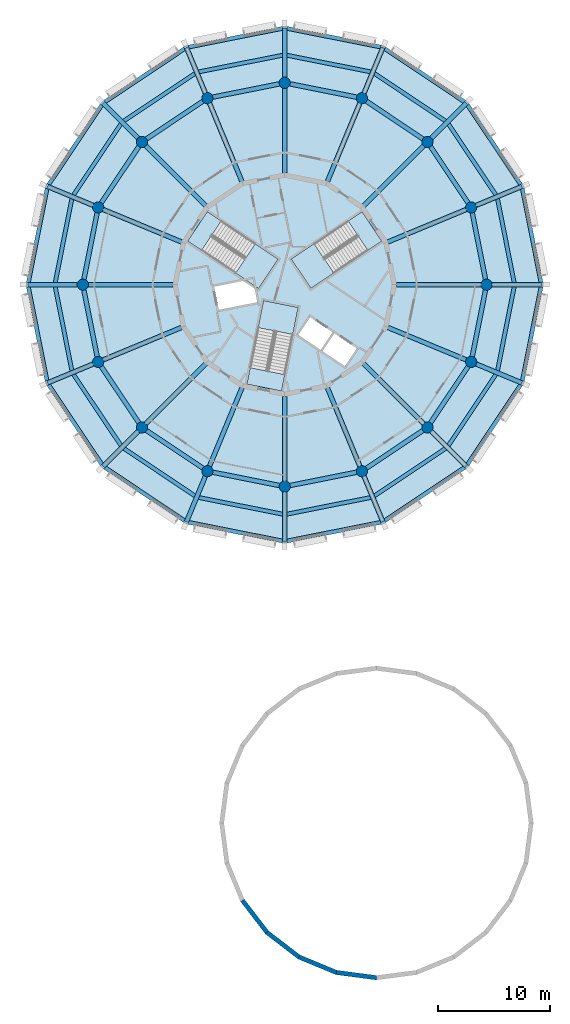
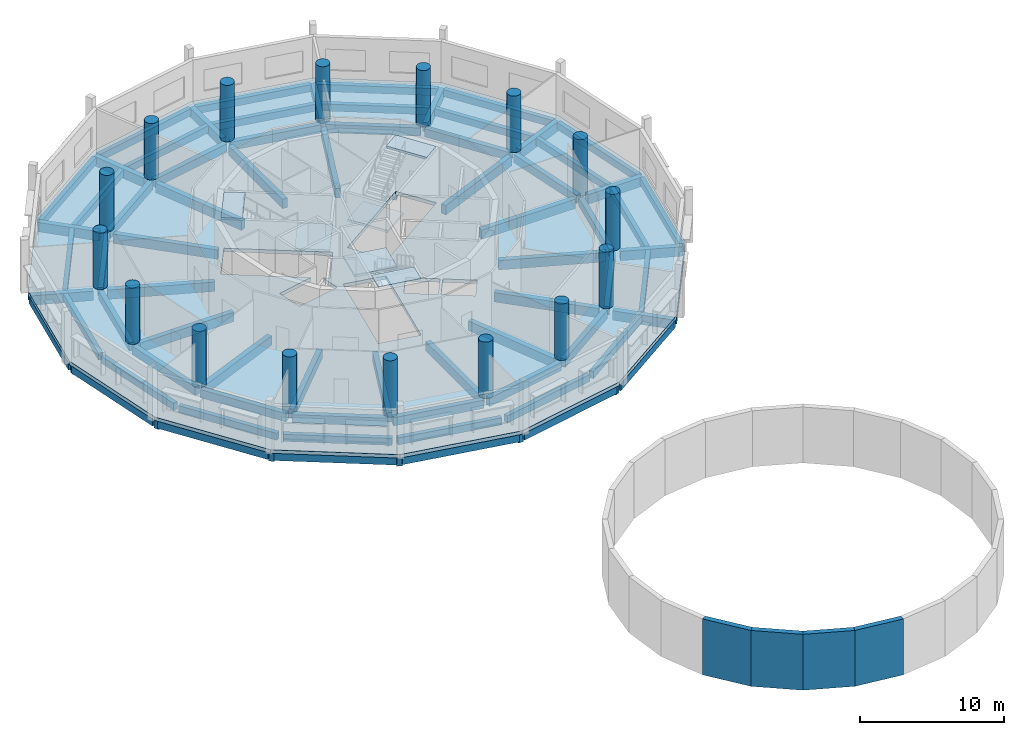
# One storey, part 1 of 8: 80 beams, 16 columns, 7 slabs, 4 walls, 3 elements without a shape of their own.
"""IFC4 building model written with IfcOpenShell, lengths in metres."""

from ifc_helpers import new_model, si_unit, direction, frame, origin, origin_2d, place, context, subcontext, project, spatial, polyline, rectangle, circle, outline, extrude, material, layer, layer_set, material_profile, profile_set, type_object, element, aggregate, save


model = new_model("IFC4")

# Units and contexts
model_context = context("Model", 3, precision=1e-05, world=origin(), true_north=direction((0.0, 1.0)))
body_context = subcontext(model_context, "Body", "Model", "MODEL_VIEW")
ifc_project = project(units=[si_unit("LENGTHUNIT", "METRE"), si_unit("AREAUNIT", "SQUARE_METRE"), si_unit("VOLUMEUNIT", "CUBIC_METRE"), si_unit("PLANEANGLEUNIT", "RADIAN"), si_unit("MASSUNIT", "GRAM", prefix="KILO")], contexts=[model_context])

# Site, building, storey
site_placement = place(None, origin())
site = spatial("IfcSite", under=ifc_project, at=site_placement, CompositionType="ELEMENT")
building_placement = place(site_placement, origin())
building = spatial("IfcBuilding", under=site, at=building_placement, Name="Ceibo Conservatory and Research Tower", CompositionType="ELEMENT")
storey_placement = place(building_placement, frame((0.0, 0.0, 10.800048828125)))
storey = spatial("IfcBuildingStorey", under=building, at=storey_placement, Name="L02", CompositionType="ELEMENT", Elevation=10.800048828125)

# Columns
ifc_material_1 = material(Name="Concrete C40/50", Category="concrete")
ifc_material_profile_1 = material_profile(ifc_material_1, circle(Radius=0.5, at=origin_2d()), Name="RC D1000")
ifc_profile_set_1 = profile_set([ifc_material_profile_1], Name="Concrete C40/50")
column_type = type_object("IfcColumnType", Name="RC column D1000 C40", PredefinedType="COLUMN", material=ifc_profile_set_1)
for number, where, z_axis, x_axis, name in (
    (1, (66.0, 120.0, 0.0), (0.0, 0.0, 1.0), (1.0, 0.0, 0.0), "Column R1 L02"),
    (2, (64.6298828125, 126.88818359375, 0.0), (0.0, 0.0, 1.0), (1.0, 0.0, 0.0), "Column R2 L02"),
    (3, (60.72802734375, 132.72802734375, 0.0), (0.0, 0.0, 1.0), (1.0, 0.0, 0.0), "Column R3 L02"),
    (4, (54.88818359375, 136.6298828125, 0.0), (0.0, 0.0, 1.0), (1.0, 0.0, 0.0), "Column R4 L02"),
    (5, (48.0, 138.0, 0.0), (0.0, 0.0, 1.0), (1.0, 0.0, 0.0), "Column R5 L02"),
    (6, (41.11181640625, 136.6298828125, 0.0), (0.0, 0.0, 1.0), (1.0, 0.0, 0.0), "Column R6 L02"),
    (7, (35.27197265625, 132.72802734375, 0.0), (0.0, 0.0, 1.0), (1.0, 0.0, 0.0), "Column R7 L02"),
    (8, (31.3701171875, 126.88818359375, 0.0), (0.0, 0.0, 1.0), (1.0, 0.0, 0.0), "Column R8 L02"),
    (9, (30.0, 120.0, 0.0), (0.0, 0.0, 1.0), (1.0, 0.0, 0.0), "Column R9 L02"),
    (10, (31.3701171875, 113.11181640625, 0.0), (0.0, 0.0, 1.0), (1.0, 0.0, 0.0), "Column R10 L02"),
    (11, (35.27197265625, 107.27197265625, 0.0), (0.0, 0.0, 1.0), (1.0, 0.0, 0.0), "Column R11 L02"),
    (12, (41.11181640625, 103.3701171875, 0.0), (0.0, 0.0, 1.0), (1.0, 0.0, 0.0), "Column R12 L02"),
    (13, (48.0, 102.0, 0.0), (0.0, 0.0, 1.0), (1.0, 0.0, 0.0), "Column R13 L02"),
    (14, (54.88818359375, 103.3701171875, 0.0), (0.0, 0.0, 1.0), (1.0, 0.0, 0.0), "Column R14 L02"),
    (15, (60.72802734375, 107.27197265625, 0.0), (0.0, 0.0, 1.0), (1.0, 0.0, 0.0), "Column R15 L02"),
    (16, (64.6298828125, 113.11181640625, 0.0), (0.0, 0.0, 1.0), (1.0, 0.0, 0.0), "Column R16 L02"),
):
    element("IfcColumn", number, at=place(storey_placement, frame(where, z_axis=z_axis, x_axis=x_axis)), inside=storey, type_object=column_type, Name=name, PredefinedType="COLUMN", context=body_context, shape_type="SweptSolid", body=[
        extrude(circle(Radius=0.5, at=origin_2d()), origin(), (0.0, 0.0, 1.0), 4.800048828125),
    ])

# Beams
ifc_material_2 = material(Name="Concrete C35/45", Category="concrete")
ifc_material_profile_2 = material_profile(ifc_material_2, rectangle(XDim=0.35009765625, YDim=0.60009765625, at=origin_2d()), Name="RC 350x600")
ifc_profile_set_2 = profile_set([ifc_material_profile_2], Name="Concrete C35/45")
beam_type_1 = type_object("IfcBeamType", Name="RC beam 350x600 C35", PredefinedType="BEAM", material=ifc_profile_set_2)
for number, where, z_axis, x_axis, name in (
    (17, (68.464111328125, 120.180419921875, -0.60009765625), (-0.195100828433, 0.980783190489, 0.0), (-0.980783190489, -0.195100828433, 0.0), "Edge beam 01 L02"),
    (18, (66.83740234375, 127.998046875, -0.60009765625), (-0.555578495676, 0.831464091312, 0.0), (-0.831464091312, -0.555578495676, 0.0), "Edge beam 02 L02"),
    (19, (62.3427734375, 134.597900390625, -0.60009765625), (-0.831464091312, 0.555578495676, 0.0), (-0.555578495676, -0.831464091312, 0.0), "Edge beam 03 L02"),
    (20, (55.66455078125, 138.975341796875, -0.60009765625), (-0.980783190489, 0.195100828433, 0.0), (-0.195100828433, -0.980783190489, 0.0), "Edge beam 04 L02"),
    (21, (47.819580078125, 140.464111328125, -0.60009765625), (-0.980783190489, -0.195100828433, 0.0), (0.195100828433, -0.980783190489, 0.0), "Edge beam 05 L02"),
    (22, (40.001953125, 138.83740234375, -0.60009765625), (-0.831464091312, -0.555578495676, 0.0), (0.555578495676, -0.831464091312, 0.0), "Edge beam 06 L02"),
    (23, (33.402099609375, 134.3427734375, -0.60009765625), (-0.555578495676, -0.831464091312, 0.0), (0.831464091312, -0.555578495676, 0.0), "Edge beam 07 L02"),
    (24, (29.024658203125, 127.66455078125, -0.60009765625), (-0.195100828433, -0.980783190489, 0.0), (0.980783190489, -0.195100828433, 0.0), "Edge beam 08 L02"),
    (25, (27.535888671875, 119.819580078125, -0.60009765625), (0.195100828433, -0.980783190489, 0.0), (0.980783190489, 0.195100828433, 0.0), "Edge beam 09 L02"),
    (26, (29.16259765625, 112.001953125, -0.60009765625), (0.555578495676, -0.831464091312, 0.0), (0.831464091312, 0.555578495676, 0.0), "Edge beam 10 L02"),
    (27, (33.6572265625, 105.402099609375, -0.60009765625), (0.831464091312, -0.555578495676, 0.0), (0.555578495676, 0.831464091312, 0.0), "Edge beam 11 L02"),
    (28, (40.33544921875, 101.024658203125, -0.60009765625), (0.980783190489, -0.195100828433, 0.0), (0.195100828433, 0.980783190489, 0.0), "Edge beam 12 L02"),
    (29, (48.180419921875, 99.535888671875, -0.60009765625), (0.980783190489, 0.195100828433, 0.0), (-0.195100828433, 0.980783190489, 0.0), "Edge beam 13 L02"),
    (30, (55.998046875, 101.16259765625, -0.60009765625), (0.831464091312, 0.555578495676, 0.0), (-0.555578495676, 0.831464091312, 0.0), "Edge beam 14 L02"),
    (31, (62.597900390625, 105.6572265625, -0.60009765625), (0.555578495676, 0.831464091312, 0.0), (-0.831464091312, 0.555578495676, 0.0), "Edge beam 15 L02"),
    (32, (66.975341796875, 112.33544921875, -0.60009765625), (0.195100828433, 0.980783190489, 0.0), (-0.980783190489, 0.195100828433, 0.0), "Edge beam 16 L02"),
):
    element("IfcBeam", number, at=place(storey_placement, frame(where, z_axis=z_axis, x_axis=x_axis)), inside=storey, type_object=beam_type_1, Name=name, PredefinedType="BEAM", context=body_context, shape_type="SweptSolid", body=[
        extrude(rectangle(XDim=0.35009765625, YDim=0.60009765625, at=origin_2d()), origin(), (0.0, 0.0, 1.0), 7.630859375),
    ])
beam_1_placement = place(storey_placement, frame((70.864013671875, 120.180419921875, -0.60009765625), z_axis=(-0.195091228051, 0.980785100181, 0.0), x_axis=(-0.980785100181, -0.195091228051, 0.0)))
element("IfcBeam", 33, at=beam_1_placement, inside=storey, type_object=beam_type_1, Name="Edge beam 01 L02", PredefinedType="BEAM", context=body_context, shape_type="SweptSolid", body=[
    extrude(rectangle(XDim=0.35009765625, YDim=0.60009765625, at=origin_2d()), origin(), (0.0, 0.0, 1.0), 8.567138671875),
])
for number, where, z_axis, x_axis, name in (
    (34, (69.0546875, 128.916259765625, -0.60009765625), (-0.555567941866, 0.831471143198, 0.0), (-0.831471143198, -0.555567941866, 0.0), "Edge beam 02 L02"),
    (35, (64.039794921875, 136.294921875, -0.60009765625), (-0.831471143198, 0.555567941866, 0.0), (-0.555567941866, -0.831471143198, 0.0), "Edge beam 03 L02"),
):
    element("IfcBeam", number, at=place(storey_placement, frame(where, z_axis=z_axis, x_axis=x_axis)), inside=storey, type_object=beam_type_1, Name=name, PredefinedType="BEAM", context=body_context, shape_type="SweptSolid", body=[
        extrude(rectangle(XDim=0.35009765625, YDim=0.60009765625, at=origin_2d()), origin(), (0.0, 0.0, 1.0), 8.5673828125),
    ])
for number, where, z_axis, x_axis, name in (
    (36, (56.5830078125, 141.192626953125, -0.60009765625), (-0.980785100181, 0.195091228051, 0.0), (-0.195091228051, -0.980785100181, 0.0), "Edge beam 04 L02"),
    (37, (47.819580078125, 142.864013671875, -0.60009765625), (-0.980785100181, -0.195091228051, 0.0), (0.195091228051, -0.980785100181, 0.0), "Edge beam 05 L02"),
):
    element("IfcBeam", number, at=place(storey_placement, frame(where, z_axis=z_axis, x_axis=x_axis)), inside=storey, type_object=beam_type_1, Name=name, PredefinedType="BEAM", context=body_context, shape_type="SweptSolid", body=[
        extrude(rectangle(XDim=0.35009765625, YDim=0.60009765625, at=origin_2d()), origin(), (0.0, 0.0, 1.0), 8.567138671875),
    ])
for number, where, z_axis, x_axis, name in (
    (38, (39.083740234375, 141.0546875, -0.60009765625), (-0.831471143198, -0.555567941866, 0.0), (0.555567941866, -0.831471143198, 0.0), "Edge beam 06 L02"),
    (39, (31.705078125, 136.039794921875, -0.60009765625), (-0.555567941866, -0.831471143198, 0.0), (0.831471143198, -0.555567941866, 0.0), "Edge beam 07 L02"),
):
    element("IfcBeam", number, at=place(storey_placement, frame(where, z_axis=z_axis, x_axis=x_axis)), inside=storey, type_object=beam_type_1, Name=name, PredefinedType="BEAM", context=body_context, shape_type="SweptSolid", body=[
        extrude(rectangle(XDim=0.35009765625, YDim=0.60009765625, at=origin_2d()), origin(), (0.0, 0.0, 1.0), 8.5673828125),
    ])
for number, where, z_axis, x_axis, name in (
    (40, (26.807373046875, 128.5830078125, -0.60009765625), (-0.195091228051, -0.980785100181, 0.0), (0.980785100181, -0.195091228051, 0.0), "Edge beam 08 L02"),
    (41, (25.135986328125, 119.819580078125, -0.60009765625), (0.195091228051, -0.980785100181, 0.0), (0.980785100181, 0.195091228051, 0.0), "Edge beam 09 L02"),
):
    element("IfcBeam", number, at=place(storey_placement, frame(where, z_axis=z_axis, x_axis=x_axis)), inside=storey, type_object=beam_type_1, Name=name, PredefinedType="BEAM", context=body_context, shape_type="SweptSolid", body=[
        extrude(rectangle(XDim=0.35009765625, YDim=0.60009765625, at=origin_2d()), origin(), (0.0, 0.0, 1.0), 8.567138671875),
    ])
for number, where, z_axis, x_axis, name in (
    (42, (26.9453125, 111.083740234375, -0.60009765625), (0.555567941866, -0.831471143198, 0.0), (0.831471143198, 0.555567941866, 0.0), "Edge beam 10 L02"),
    (43, (31.960205078125, 103.705078125, -0.60009765625), (0.831471143198, -0.555567941866, 0.0), (0.555567941866, 0.831471143198, 0.0), "Edge beam 11 L02"),
):
    element("IfcBeam", number, at=place(storey_placement, frame(where, z_axis=z_axis, x_axis=x_axis)), inside=storey, type_object=beam_type_1, Name=name, PredefinedType="BEAM", context=body_context, shape_type="SweptSolid", body=[
        extrude(rectangle(XDim=0.35009765625, YDim=0.60009765625, at=origin_2d()), origin(), (0.0, 0.0, 1.0), 8.5673828125),
    ])
for number, where, z_axis, x_axis, name in (
    (44, (39.4169921875, 98.807373046875, -0.60009765625), (0.980785100181, -0.195091228051, 0.0), (0.195091228051, 0.980785100181, 0.0), "Edge beam 12 L02"),
    (45, (48.180419921875, 97.135986328125, -0.60009765625), (0.980785100181, 0.195091228051, 0.0), (-0.195091228051, 0.980785100181, 0.0), "Edge beam 13 L02"),
):
    element("IfcBeam", number, at=place(storey_placement, frame(where, z_axis=z_axis, x_axis=x_axis)), inside=storey, type_object=beam_type_1, Name=name, PredefinedType="BEAM", context=body_context, shape_type="SweptSolid", body=[
        extrude(rectangle(XDim=0.35009765625, YDim=0.60009765625, at=origin_2d()), origin(), (0.0, 0.0, 1.0), 8.567138671875),
    ])
for number, where, z_axis, x_axis, name in (
    (46, (56.916259765625, 98.9453125, -0.60009765625), (0.831471143198, 0.555567941866, 0.0), (-0.555567941866, 0.831471143198, 0.0), "Edge beam 14 L02"),
    (47, (64.294921875, 103.960205078125, -0.60009765625), (0.555567941866, 0.831471143198, 0.0), (-0.831471143198, 0.555567941866, 0.0), "Edge beam 15 L02"),
):
    element("IfcBeam", number, at=place(storey_placement, frame(where, z_axis=z_axis, x_axis=x_axis)), inside=storey, type_object=beam_type_1, Name=name, PredefinedType="BEAM", context=body_context, shape_type="SweptSolid", body=[
        extrude(rectangle(XDim=0.35009765625, YDim=0.60009765625, at=origin_2d()), origin(), (0.0, 0.0, 1.0), 8.5673828125),
    ])
beam_2_placement = place(storey_placement, frame((69.192626953125, 111.4169921875, -0.60009765625), z_axis=(0.195091228051, 0.980785100181, 0.0), x_axis=(-0.980785100181, 0.195091228051, 0.0)))
element("IfcBeam", 48, at=beam_2_placement, inside=storey, type_object=beam_type_1, Name="Edge beam 16 L02", PredefinedType="BEAM", context=body_context, shape_type="SweptSolid", body=[
    extrude(rectangle(XDim=0.35009765625, YDim=0.60009765625, at=origin_2d()), origin(), (0.0, 0.0, 1.0), 8.567138671875),
])
ifc_material_profile_3 = material_profile(ifc_material_2, rectangle(XDim=0.39990234375, YDim=0.699951171875, at=origin_2d()), Name="RC 400x700")
ifc_profile_set_3 = profile_set([ifc_material_profile_3], Name="Concrete C35/45")
beam_type_2 = type_object("IfcBeamType", Name="RC beam 400x700 C35", PredefinedType="BEAM", material=ifc_profile_set_3)
beam_3_placement = place(storey_placement, frame((65.964111328125, 120.180419921875, -0.650146484375), z_axis=(-0.19507903146, 0.980787526167, 0.0), x_axis=(-0.980787526167, -0.19507903146, 0.0)))
element("IfcBeam", 49, at=beam_3_placement, inside=storey, type_object=beam_type_2, Name="Ring beam 01 L02", PredefinedType="BEAM", context=body_context, shape_type="SweptSolid", body=[
    extrude(rectangle(XDim=0.39990234375, YDim=0.699951171875, at=origin_2d()), origin(), (0.0, 0.0, 1.0), 6.655517578125),
])
for number, where, z_axis, x_axis, name in (
    (50, (64.527587890625, 127.041259765625, -0.650146484375), (-0.555571830572, 0.83146854485, 0.0), (-0.83146854485, -0.555571830572, 0.0), "Ring beam 02 L02"),
    (51, (60.574951171875, 132.830078125, -0.650146484375), (-0.83146854485, 0.555571830572, 0.0), (-0.555571830572, -0.83146854485, 0.0), "Ring beam 03 L02"),
):
    element("IfcBeam", number, at=place(storey_placement, frame(where, z_axis=z_axis, x_axis=x_axis)), inside=storey, type_object=beam_type_2, Name=name, PredefinedType="BEAM", context=body_context, shape_type="SweptSolid", body=[
        extrude(rectangle(XDim=0.39990234375, YDim=0.699951171875, at=origin_2d()), origin(), (0.0, 0.0, 1.0), 6.6552734375),
    ])
for number, where, z_axis, x_axis, name in (
    (52, (54.7080078125, 136.665771484375, -0.650146484375), (-0.980787526167, 0.19507903146, 0.0), (-0.19507903146, -0.980787526167, 0.0), "Ring beam 04 L02"),
    (53, (47.819580078125, 137.964111328125, -0.650146484375), (-0.980787526167, -0.19507903146, 0.0), (0.19507903146, -0.980787526167, 0.0), "Ring beam 05 L02"),
):
    element("IfcBeam", number, at=place(storey_placement, frame(where, z_axis=z_axis, x_axis=x_axis)), inside=storey, type_object=beam_type_2, Name=name, PredefinedType="BEAM", context=body_context, shape_type="SweptSolid", body=[
        extrude(rectangle(XDim=0.39990234375, YDim=0.699951171875, at=origin_2d()), origin(), (0.0, 0.0, 1.0), 6.655517578125),
    ])
for number, where, z_axis, x_axis, name in (
    (54, (40.958740234375, 136.527587890625, -0.650146484375), (-0.83146854485, -0.555571830572, 0.0), (0.555571830572, -0.83146854485, 0.0), "Ring beam 06 L02"),
    (55, (35.169921875, 132.574951171875, -0.650146484375), (-0.555571830572, -0.83146854485, 0.0), (0.83146854485, -0.555571830572, 0.0), "Ring beam 07 L02"),
):
    element("IfcBeam", number, at=place(storey_placement, frame(where, z_axis=z_axis, x_axis=x_axis)), inside=storey, type_object=beam_type_2, Name=name, PredefinedType="BEAM", context=body_context, shape_type="SweptSolid", body=[
        extrude(rectangle(XDim=0.39990234375, YDim=0.699951171875, at=origin_2d()), origin(), (0.0, 0.0, 1.0), 6.6552734375),
    ])
for number, where, z_axis, x_axis, name in (
    (56, (31.334228515625, 126.7080078125, -0.650146484375), (-0.19507903146, -0.980787526167, 0.0), (0.980787526167, -0.19507903146, 0.0), "Ring beam 08 L02"),
    (57, (30.035888671875, 119.819580078125, -0.650146484375), (0.19507903146, -0.980787526167, 0.0), (0.980787526167, 0.19507903146, 0.0), "Ring beam 09 L02"),
):
    element("IfcBeam", number, at=place(storey_placement, frame(where, z_axis=z_axis, x_axis=x_axis)), inside=storey, type_object=beam_type_2, Name=name, PredefinedType="BEAM", context=body_context, shape_type="SweptSolid", body=[
        extrude(rectangle(XDim=0.39990234375, YDim=0.699951171875, at=origin_2d()), origin(), (0.0, 0.0, 1.0), 6.655517578125),
    ])
for number, where, z_axis, x_axis, name in (
    (58, (31.472412109375, 112.958740234375, -0.650146484375), (0.555571830572, -0.83146854485, 0.0), (0.83146854485, 0.555571830572, 0.0), "Ring beam 10 L02"),
    (59, (35.425048828125, 107.169921875, -0.650146484375), (0.83146854485, -0.555571830572, 0.0), (0.555571830572, 0.83146854485, 0.0), "Ring beam 11 L02"),
):
    element("IfcBeam", number, at=place(storey_placement, frame(where, z_axis=z_axis, x_axis=x_axis)), inside=storey, type_object=beam_type_2, Name=name, PredefinedType="BEAM", context=body_context, shape_type="SweptSolid", body=[
        extrude(rectangle(XDim=0.39990234375, YDim=0.699951171875, at=origin_2d()), origin(), (0.0, 0.0, 1.0), 6.6552734375),
    ])
for number, where, z_axis, x_axis, name in (
    (60, (41.2919921875, 103.334228515625, -0.650146484375), (0.980787526167, -0.19507903146, 0.0), (0.19507903146, 0.980787526167, 0.0), "Ring beam 12 L02"),
    (61, (48.180419921875, 102.035888671875, -0.650146484375), (0.980787526167, 0.19507903146, 0.0), (-0.19507903146, 0.980787526167, 0.0), "Ring beam 13 L02"),
):
    element("IfcBeam", number, at=place(storey_placement, frame(where, z_axis=z_axis, x_axis=x_axis)), inside=storey, type_object=beam_type_2, Name=name, PredefinedType="BEAM", context=body_context, shape_type="SweptSolid", body=[
        extrude(rectangle(XDim=0.39990234375, YDim=0.699951171875, at=origin_2d()), origin(), (0.0, 0.0, 1.0), 6.655517578125),
    ])
for number, where, z_axis, x_axis, name in (
    (62, (55.041259765625, 103.472412109375, -0.650146484375), (0.83146854485, 0.555571830572, 0.0), (-0.555571830572, 0.83146854485, 0.0), "Ring beam 14 L02"),
    (63, (60.830078125, 107.425048828125, -0.650146484375), (0.555571830572, 0.83146854485, 0.0), (-0.83146854485, 0.555571830572, 0.0), "Ring beam 15 L02"),
):
    element("IfcBeam", number, at=place(storey_placement, frame(where, z_axis=z_axis, x_axis=x_axis)), inside=storey, type_object=beam_type_2, Name=name, PredefinedType="BEAM", context=body_context, shape_type="SweptSolid", body=[
        extrude(rectangle(XDim=0.39990234375, YDim=0.699951171875, at=origin_2d()), origin(), (0.0, 0.0, 1.0), 6.6552734375),
    ])
beam_4_placement = place(storey_placement, frame((64.665771484375, 113.2919921875, -0.650146484375), z_axis=(0.19507903146, 0.980787526167, 0.0), x_axis=(-0.980787526167, 0.19507903146, 0.0)))
element("IfcBeam", 64, at=beam_4_placement, inside=storey, type_object=beam_type_2, Name="Ring beam 16 L02", PredefinedType="BEAM", context=body_context, shape_type="SweptSolid", body=[
    extrude(rectangle(XDim=0.39990234375, YDim=0.699951171875, at=origin_2d()), origin(), (0.0, 0.0, 1.0), 6.655517578125),
])
ifc_material_profile_4 = material_profile(ifc_material_2, rectangle(XDim=0.39990234375, YDim=0.800048828125, at=origin_2d()), Name="RC 400x800")
ifc_profile_set_4 = profile_set([ifc_material_profile_4], Name="Concrete C35/45")
beam_type_3 = type_object("IfcBeamType", Name="RC beam 400x800 C35", PredefinedType="BEAM", material=ifc_profile_set_4)
for number, where, z_axis, x_axis, name in (
    (65, (57.949951171875, 120.0, -0.699951171875), (1.0, 0.0, 0.0), (0.0, 1.0, 0.0), "Radial beam R1 L02"),
    (66, (57.192626953125, 123.8076171875, -0.699951171875), (0.923873766876, 0.382697351544, 0.0), (-0.382697351544, 0.923873766876, 0.0), "Radial beam R2 L02"),
    (67, (55.03564453125, 127.03564453125, -0.699951171875), (0.707106781187, 0.707106781187, 0.0), (-0.707106781187, 0.707106781187, 0.0), "Radial beam R3 L02"),
    (68, (51.8076171875, 129.192626953125, -0.699951171875), (0.382697351544, 0.923873766876, 0.0), (-0.923873766876, 0.382697351544, 0.0), "Radial beam R4 L02"),
    (69, (48.0, 129.949951171875, -0.699951171875), (0.0, 1.0, 0.0), (-1.0, 0.0, 0.0), "Radial beam R5 L02"),
    (70, (44.1923828125, 129.192626953125, -0.699951171875), (-0.382697351544, 0.923873766876, 0.0), (-0.923873766876, -0.382697351544, 0.0), "Radial beam R6 L02"),
    (71, (40.96435546875, 127.03564453125, -0.699951171875), (-0.707106781187, 0.707106781187, 0.0), (-0.707106781187, -0.707106781187, 0.0), "Radial beam R7 L02"),
    (72, (38.807373046875, 123.8076171875, -0.699951171875), (-0.923873766876, 0.382697351544, 0.0), (-0.382697351544, -0.923873766876, 0.0), "Radial beam R8 L02"),
    (73, (38.050048828125, 120.0, -0.699951171875), (-1.0, 0.0, 0.0), (0.0, -1.0, 0.0), "Radial beam R9 L02"),
    (74, (38.807373046875, 116.1923828125, -0.699951171875), (-0.923873766876, -0.382697351544, 0.0), (0.382697351544, -0.923873766876, 0.0), "Radial beam R10 L02"),
    (75, (40.96435546875, 112.96435546875, -0.699951171875), (-0.707106781187, -0.707106781187, 0.0), (0.707106781187, -0.707106781187, 0.0), "Radial beam R11 L02"),
    (76, (44.1923828125, 110.807373046875, -0.699951171875), (-0.382697351544, -0.923873766876, 0.0), (0.923873766876, -0.382697351544, 0.0), "Radial beam R12 L02"),
    (77, (48.0, 110.050048828125, -0.699951171875), (0.0, -1.0, 0.0), (1.0, 0.0, 0.0), "Radial beam R13 L02"),
    (78, (51.8076171875, 110.807373046875, -0.699951171875), (0.382697351544, -0.923873766876, 0.0), (0.923873766876, 0.382697351544, 0.0), "Radial beam R14 L02"),
    (79, (55.03564453125, 112.96435546875, -0.699951171875), (0.707106781187, -0.707106781187, 0.0), (0.707106781187, 0.707106781187, 0.0), "Radial beam R15 L02"),
    (80, (57.192626953125, 116.1923828125, -0.699951171875), (0.923873766876, -0.382697351544, 0.0), (0.382697351544, 0.923873766876, 0.0), "Radial beam R16 L02"),
):
    element("IfcBeam", number, at=place(storey_placement, frame(where, z_axis=z_axis, x_axis=x_axis)), inside=storey, type_object=beam_type_3, Name=name, PredefinedType="BEAM", context=body_context, shape_type="SweptSolid", body=[
        extrude(rectangle(XDim=0.39990234375, YDim=0.800048828125, at=origin_2d()), origin(), (0.0, 0.0, 1.0), 7.550048828125),
    ])
ifc_material_profile_5 = material_profile(ifc_material_2, rectangle(XDim=0.39990234375, YDim=0.800048828125, at=origin_2d()), Name="RC 400x800")
ifc_profile_set_5 = profile_set([ifc_material_profile_5], Name="Concrete C35/45")
beam_type_4 = type_object("IfcBeamType", Name="RC cantilever beam 400x800 C35", PredefinedType="BEAM", material=ifc_profile_set_5)
for number, where, z_axis, x_axis, name in (
    (81, (66.5, 120.0, -0.699951171875), (1.0, 0.0, 0.0), (0.0, 1.0, 0.0), "Radial cantilever beam R1 L02"),
    (82, (65.091796875, 127.07958984375, -0.699951171875), (0.923883459737, 0.382673951066, 0.0), (-0.382673951066, 0.923883459737, 0.0), "Radial cantilever beam R2 L02"),
    (83, (61.08154296875, 133.08154296875, -0.699951171875), (0.707106781187, 0.707106781187, 0.0), (-0.707106781187, 0.707106781187, 0.0), "Radial cantilever beam R3 L02"),
    (84, (55.07958984375, 137.091796875, -0.699951171875), (0.382673951066, 0.923883459737, 0.0), (-0.923883459737, 0.382673951066, 0.0), "Radial cantilever beam R4 L02"),
    (85, (48.0, 138.5, -0.699951171875), (0.0, 1.0, 0.0), (-1.0, 0.0, 0.0), "Radial cantilever beam R5 L02"),
    (86, (40.92041015625, 137.091796875, -0.699951171875), (-0.382673951066, 0.923883459737, 0.0), (-0.923883459737, -0.382673951066, 0.0), "Radial cantilever beam R6 L02"),
    (87, (34.91845703125, 133.08154296875, -0.699951171875), (-0.707106781187, 0.707106781187, 0.0), (-0.707106781187, -0.707106781187, 0.0), "Radial cantilever beam R7 L02"),
    (88, (30.908203125, 127.07958984375, -0.699951171875), (-0.923883459737, 0.382673951066, 0.0), (-0.382673951066, -0.923883459737, 0.0), "Radial cantilever beam R8 L02"),
    (89, (29.5, 120.0, -0.699951171875), (-1.0, 0.0, 0.0), (0.0, -1.0, 0.0), "Radial cantilever beam R9 L02"),
    (90, (30.908203125, 112.92041015625, -0.699951171875), (-0.923883459737, -0.382673951066, 0.0), (0.382673951066, -0.923883459737, 0.0), "Radial cantilever beam R10 L02"),
    (91, (34.91845703125, 106.91845703125, -0.699951171875), (-0.707106781187, -0.707106781187, 0.0), (0.707106781187, -0.707106781187, 0.0), "Radial cantilever beam R11 L02"),
    (92, (40.92041015625, 102.908203125, -0.699951171875), (-0.382673951066, -0.923883459737, 0.0), (0.923883459737, -0.382673951066, 0.0), "Radial cantilever beam R12 L02"),
    (93, (48.0, 101.5, -0.699951171875), (0.0, -1.0, 0.0), (1.0, 0.0, 0.0), "Radial cantilever beam R13 L02"),
    (94, (55.07958984375, 102.908203125, -0.699951171875), (0.382673951066, -0.923883459737, 0.0), (0.923883459737, 0.382673951066, 0.0), "Radial cantilever beam R14 L02"),
    (95, (61.08154296875, 106.91845703125, -0.699951171875), (0.707106781187, -0.707106781187, 0.0), (0.707106781187, 0.707106781187, 0.0), "Radial cantilever beam R15 L02"),
    (96, (65.091796875, 112.92041015625, -0.699951171875), (0.923883459737, -0.382673951066, 0.0), (0.382673951066, 0.923883459737, 0.0), "Radial cantilever beam R16 L02"),
):
    element("IfcBeam", number, at=place(storey_placement, frame(where, z_axis=z_axis, x_axis=x_axis)), inside=storey, type_object=beam_type_4, Name=name, PredefinedType="BEAM", context=body_context, shape_type="SweptSolid", body=[
        extrude(rectangle(XDim=0.39990234375, YDim=0.800048828125, at=origin_2d()), origin(), (0.0, 0.0, 1.0), 4.39501953125),
    ])

# Stair, slabs
stair_type = type_object("IfcStairType", Name="Escape stair 171 x 280", PredefinedType="HALF_TURN_STAIR", material=ifc_material_2)
stair_1_placement = place(storey_placement, origin())
stair_1 = element("IfcStair", 97, at=stair_1_placement, inside=storey, type_object=stair_type, Name="Escape stair ST1 02", PredefinedType="HALF_TURN_STAIR")
ifc_layer_1 = layer(ifc_material_2, 0.199951171875)
ifc_layer_set_1 = layer_set([ifc_layer_1], Name="Concrete C35/45")
slab_type_1 = type_object("IfcSlabType", Name="Escape stair landing", PredefinedType="LANDING", material=ifc_layer_set_1)
slab_1_placement = place(storey_placement, frame((50.632080078125, 123.65283203125, 2.199951171875), z_axis=(0.0, 0.0, 1.0), x_axis=(-0.831469612303, -0.55557023302, 0.0)))
slab_1 = element("IfcSlab", 98, at=slab_1_placement, type_object=slab_type_1, Name="ST1 landing 1", PredefinedType="LANDING", context=body_context, shape_type="SweptSolid", body=[
    extrude(outline(polyline([(0.0, 0.0), (2.4599609375, 0.0), (2.4599609375, 3.14990234375), (0.0, 3.14990234375), (0.0, 0.0)])), origin(), (0.0, 0.0, 1.0), 0.199951171875),
])
slab_2_placement = place(storey_placement, frame((54.90576171875, 126.508544921875, 4.60009765625), z_axis=(0.0, 0.0, 1.0), x_axis=(-0.831469612303, -0.55557023302, 0.0)))
slab_2 = element("IfcSlab", 99, at=slab_2_placement, type_object=slab_type_1, Name="ST1 landing 2", PredefinedType="LANDING", context=body_context, shape_type="SweptSolid", body=[
    extrude(outline(polyline([(0.0, 0.0), (1.5, 0.0), (1.5, 3.150146484375), (0.0, 3.150146484375), (0.0, 0.0)])), origin(), (0.0, 0.0, 1.0), 0.199951171875),
])
aggregate(stair_1, [slab_1, slab_2])

stair_2_placement = place(storey_placement, origin())
stair_2 = element("IfcStair", 100, at=stair_2_placement, inside=storey, type_object=stair_type, Name="Escape stair ST2 02", PredefinedType="HALF_TURN_STAIR")
slab_3_placement = place(storey_placement, frame((43.617919921875, 121.03369140625, 2.199951171875), z_axis=(0.0, 0.0, 1.0), x_axis=(0.831469612303, -0.55557023302, 0.0)))
slab_3 = element("IfcSlab", 101, at=slab_3_placement, type_object=slab_type_1, Name="ST2 landing 1", PredefinedType="LANDING", context=body_context, shape_type="SweptSolid", body=[
    extrude(outline(polyline([(0.0, 0.0), (2.4599609375, 0.0), (2.4599609375, 3.14990234375), (0.0, 3.14990234375), (0.0, 0.0)])), origin(), (0.0, 0.0, 1.0), 0.199951171875),
])
slab_4_placement = place(storey_placement, frame((39.34423828125, 123.889404296875, 4.60009765625), z_axis=(0.0, 0.0, 1.0), x_axis=(0.831469612303, -0.55557023302, 0.0)))
slab_4 = element("IfcSlab", 102, at=slab_4_placement, type_object=slab_type_1, Name="ST2 landing 2", PredefinedType="LANDING", context=body_context, shape_type="SweptSolid", body=[
    extrude(outline(polyline([(0.0, 0.0), (1.5, 0.0), (1.5, 3.150146484375), (0.0, 3.150146484375), (0.0, 0.0)])), origin(), (0.0, 0.0, 1.0), 0.199951171875),
])
aggregate(stair_2, [slab_3, slab_4])

stair_3_placement = place(storey_placement, origin())
stair_3 = element("IfcStair", 103, at=stair_3_placement, inside=storey, type_object=stair_type, Name="Escape stair ST3 02", PredefinedType="HALF_TURN_STAIR")
slab_5_placement = place(storey_placement, frame((48.721923828125, 115.555908203125, 2.199951171875), z_axis=(0.0, 0.0, 1.0), x_axis=(0.195090322016, 0.980785280403, 0.0)))
slab_5 = element("IfcSlab", 104, at=slab_5_placement, type_object=slab_type_1, Name="ST3 landing 1", PredefinedType="LANDING", context=body_context, shape_type="SweptSolid", body=[
    extrude(outline(polyline([(0.0, 0.0), (2.460205078125, 0.0), (2.460205078125, 3.150146484375), (0.0, 3.150146484375), (0.0, 0.0)])), origin(), (0.0, 0.0, 1.0), 0.199951171875),
])
slab_6_placement = place(storey_placement, frame((47.718994140625, 110.5146484375, 4.60009765625), z_axis=(0.0, 0.0, 1.0), x_axis=(0.195090322016, 0.980785280403, 0.0)))
slab_6 = element("IfcSlab", 105, at=slab_6_placement, type_object=slab_type_1, Name="ST3 landing 2", PredefinedType="LANDING", context=body_context, shape_type="SweptSolid", body=[
    extrude(outline(polyline([(0.0, 0.0), (1.5, 0.0), (1.5, 3.14990234375), (0.0, 3.14990234375), (0.0, 0.0)])), origin(), (0.0, 0.0, 1.0), 0.199951171875),
])
aggregate(stair_3, [slab_5, slab_6])

# Slab
ifc_layer_2 = layer(ifc_material_2, 0.300048828125)
ifc_layer_set_2 = layer_set([ifc_layer_2], Name="Concrete C35/45")
slab_type_2 = type_object("IfcSlabType", Name="RC floor slab 300", PredefinedType="FLOOR", material=ifc_layer_set_2)
slab_7_placement = place(storey_placement, frame((0.0, 0.0, -0.300048828125)))
element("IfcSlab", 106, at=slab_7_placement, inside=storey, type_object=slab_type_2, Name="Floor slab L02", PredefinedType="FLOOR", context=body_context, shape_type="SweptSolid", body=[
    extrude(outline(polyline([(71.078369140625, 120.0), (69.32177734375, 128.831787109375), (64.31884765625, 136.31884765625), (56.831787109375, 141.32177734375), (48.0, 143.078369140625), (39.168212890625, 141.32177734375), (31.68115234375, 136.31884765625), (26.67822265625, 128.831787109375), (24.921630859375, 120.0), (26.67822265625, 111.168212890625), (31.68115234375, 103.68115234375), (39.168212890625, 98.67822265625), (48.0, 96.921630859375), (56.831787109375, 98.67822265625), (64.31884765625, 103.68115234375), (69.32177734375, 111.168212890625), (71.078369140625, 120.0)]), holes=[polyline([(52.43310546875, 115.65478515625), (51.37744140625, 114.074951171875), (53.373046875, 112.74169921875), (54.428466796875, 114.321533203125), (52.43310546875, 115.65478515625)]), polyline([(47.718994140625, 110.5146484375), (49.201904296875, 117.96875), (46.1123046875, 118.583251953125), (44.629638671875, 111.129150390625), (47.718994140625, 110.5146484375)]), polyline([(52.266845703125, 115.765869140625), (50.271240234375, 117.099365234375), (49.215576171875, 115.51953125), (51.211181640625, 114.18603515625), (52.266845703125, 115.765869140625)]), polyline([(42.1240234375, 117.760498046875), (45.556640625, 118.443359375), (45.259521484375, 119.936767578125), (45.663330078125, 119.6669921875), (47.413330078125, 122.2861328125), (41.09423828125, 126.508544921875), (39.34423828125, 123.889404296875), (44.58056640625, 120.390380859375), (41.71435546875, 119.8203125), (42.1240234375, 117.760498046875)]), polyline([(54.90576171875, 126.508544921875), (48.586669921875, 122.2861328125), (50.336669921875, 119.6669921875), (56.65576171875, 123.889404296875), (54.90576171875, 126.508544921875)])]), origin(), (0.0, 0.0, 1.0), 0.300048828125),
])

# Walls
ifc_layer_3 = layer(ifc_material_1, 0.39990234375)
ifc_layer_set_3 = layer_set([ifc_layer_3], Name="Concrete C40/50")
wall_type = type_object("IfcWallType", Name="RC drum wall 400 C40", PredefinedType="SOLIDWALL", material=ifc_layer_set_3)
for number, where, z_axis, x_axis, name in (
    (107, (44.23046875, 65.100830078125, 0.0), (0.0, 0.0, 1.0), (0.608780097093, -0.793339015417, 0.0), "Auditorium wall L02 15"),
    (108, (46.42333984375, 62.2431640625, 0.0), (0.0, 0.0, 1.0), (0.793339015417, -0.608780097093, 0.0), "Auditorium wall L02 16"),
    (109, (49.281005859375, 60.05029296875, 0.0), (0.0, 0.0, 1.0), (0.923883008779, -0.382675039804, 0.0), "Auditorium wall L02 17"),
    (110, (52.60888671875, 58.671875, 0.0), (0.0, 0.0, 1.0), (0.991443218791, -0.130538668266, 0.0), "Auditorium wall L02 18"),
):
    element("IfcWall", number, at=place(storey_placement, frame(where, z_axis=z_axis, x_axis=x_axis)), inside=storey, type_object=wall_type, Name=name, PredefinedType="SOLIDWALL", context=body_context, shape_type="SweptSolid", body=[
        extrude(outline(polyline([(-0.0263671875, -0.199951171875), (3.62841796875, -0.199951171875), (3.57568359375, 0.199951171875), (0.0263671875, 0.199951171875), (-0.0263671875, -0.199951171875)])), origin(), (0.0, 0.0, 1.0), 4.75),
    ])

save(model, "model.ifc")
